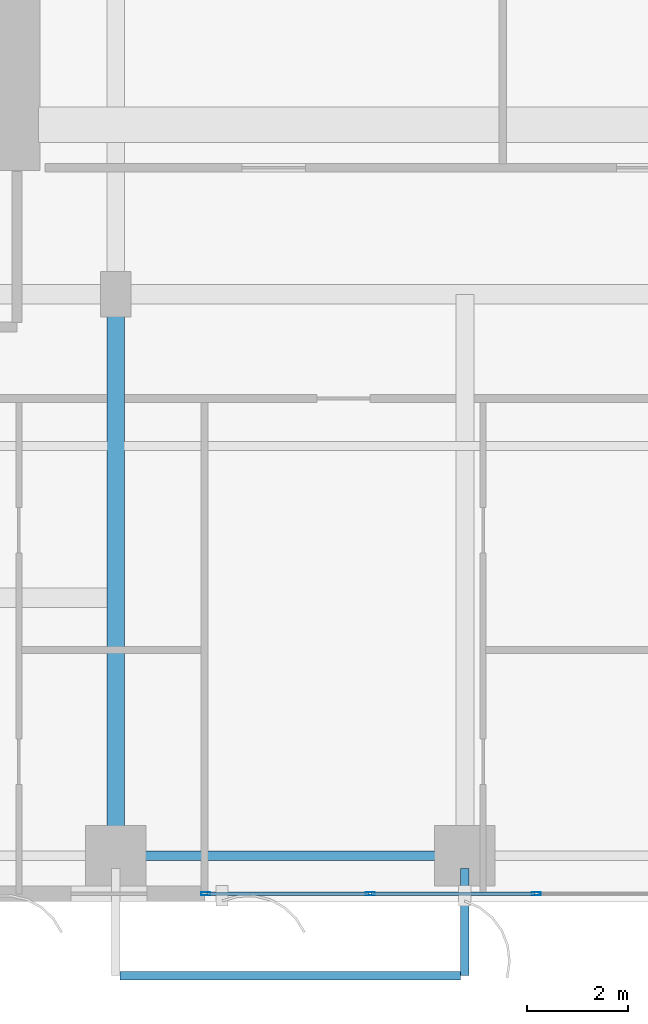
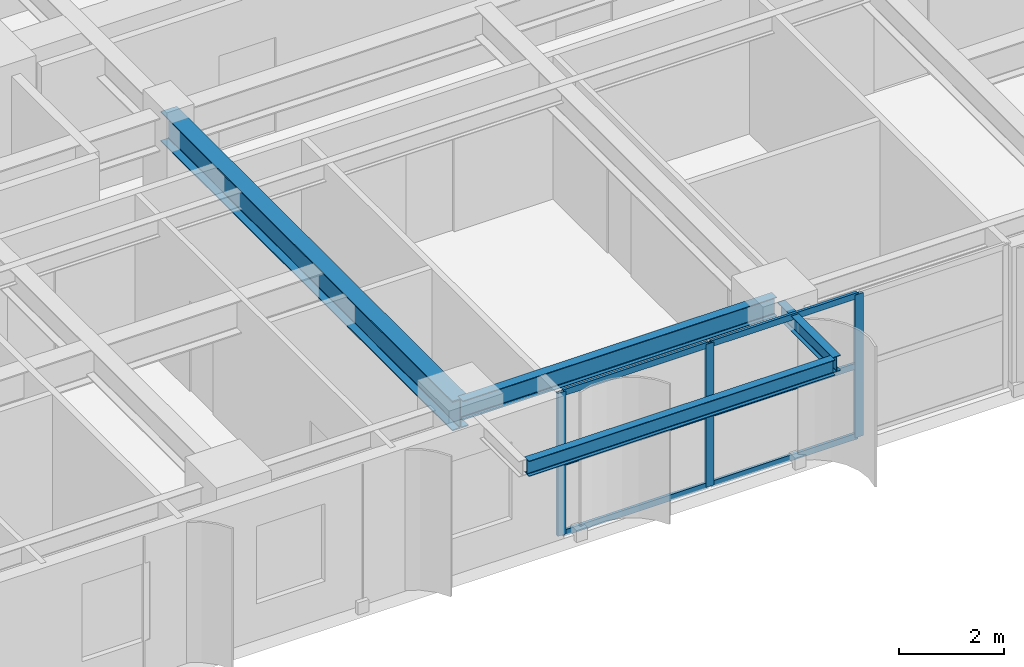
# One storey, part 2 of 22: 9 members, 4 beams, 1 element without a shape of its own.
"""IFC4 building model written with IfcOpenShell, lengths in metres."""

from ifc_helpers import new_model, si_unit, direction, frame, origin, origin_2d, place, context, subcontext, project, spatial, hollow_rectangle, i_section, extrude, source, transform, mapped, material, layer, layer_set, material_profile, profile_set, type_object, element, aggregate, save


model = new_model("IFC4")

# Units and contexts
model_context = context("Model", 3, precision=1e-05, world=origin(), true_north=direction((0.0, 1.0)))
body_context = subcontext(model_context, "Body", "Model", "MODEL_VIEW")
ifc_project = project(units=[si_unit("LENGTHUNIT", "METRE"), si_unit("AREAUNIT", "SQUARE_METRE"), si_unit("VOLUMEUNIT", "CUBIC_METRE"), si_unit("PLANEANGLEUNIT", "RADIAN"), si_unit("MASSUNIT", "GRAM", prefix="KILO")], contexts=[model_context])

# Site, building, storey
site_placement = place(None, origin())
site = spatial("IfcSite", under=ifc_project, at=site_placement, CompositionType="ELEMENT")
building_placement = place(site_placement, origin())
building = spatial("IfcBuilding", under=site, at=building_placement, Name="Khoralis Quay Care Tower", CompositionType="ELEMENT")
storey_placement = place(building_placement, frame((0.0, 0.0, 44.10009765625)))
storey = spatial("IfcBuildingStorey", under=building, at=storey_placement, Name="L11", CompositionType="ELEMENT", Elevation=44.10009765625)

# Beams
ifc_material_1 = material(Name="Steel S355", Category="steel")
ifc_material_profile_1 = material_profile(ifc_material_1, i_section(OverallWidth=0.18994140625, OverallDepth=0.449951171875, WebThickness=0.009521484375, FlangeThickness=0.0146484375, FilletRadius=0.02099609375, at=origin_2d()), Name="Steel S355")
ifc_profile_set_1 = profile_set([ifc_material_profile_1], Name="Steel S355")
beam_type_1 = type_object("IfcBeamType", Name="BM-IPE450", PredefinedType="SPANDREL", material=ifc_profile_set_1)
shared_shape_1 = source(origin(), body_context, "Body", "SweptSolid", [
    extrude(i_section(OverallWidth=0.18994140625, OverallDepth=0.449951171875, WebThickness=0.009521484375, FlangeThickness=0.0146484375, FilletRadius=0.02099609375, at=origin_2d()), origin(), (0.0, 0.0, 1.0), 6.89990234375),
])
beam_1_placement = place(storey_placement, frame((17.10009765625, 0.89990234375, 3.094970703125), z_axis=(1.0, 0.0, 0.0), x_axis=(0.0, 1.0, 0.0)))
element("IfcBeam", 1, at=beam_1_placement, inside=storey, type_object=beam_type_1, Name="BM-TSP-L11-03", PredefinedType="SPANDREL", context=body_context, shape_type="MappedRepresentation", body=[
    mapped(shared_shape_1, transform((0.0, 0.0, 0.0), scale=1.0)),
])
ifc_material_profile_2 = material_profile(ifc_material_1, i_section(OverallWidth=0.35498046875, OverallDepth=0.695068359375, WebThickness=0.015380859375, FlangeThickness=0.02490234375, FilletRadius=0.02001953125, at=origin_2d()), Name="Steel S355")
ifc_profile_set_2 = profile_set([ifc_material_profile_2], Name="Steel S355")
beam_type_2 = type_object("IfcBeamType", Name="BM-W690X217", PredefinedType="BEAM", material=ifc_profile_set_2)
shared_shape_2 = source(origin(), body_context, "Body", "SweptSolid", [
    extrude(i_section(OverallWidth=0.35498046875, OverallDepth=0.695068359375, WebThickness=0.015380859375, FlangeThickness=0.02490234375, FilletRadius=0.02001953125, at=origin_2d()), origin(), (0.0, 0.0, 1.0), 11.10009765625),
])
beam_2_placement = place(storey_placement, frame((17.10009765625, 0.89990234375, 2.972412109375), z_axis=(0.0, 1.0, 0.0), x_axis=(-1.0, 0.0, 0.0)))
element("IfcBeam", 2, at=beam_2_placement, inside=storey, type_object=beam_type_2, Name="BM-TGYS-L11-171", PredefinedType="BEAM", context=body_context, shape_type="MappedRepresentation", body=[
    mapped(shared_shape_2, transform((0.0, 0.0, 0.0), scale=1.0)),
])

# Curtain wall, members
ifc_material_2 = material(Name="Pale anodised aluminium", Category="aluminium")
ifc_layer = layer(ifc_material_2, 0.179931640625)
ifc_layer_set = layer_set([ifc_layer], Name="Pale anodised aluminium")
curtain_wall_type = type_object("IfcCurtainWallType", Name="CW-SYS-Z1", PredefinedType="NOTDEFINED", material=ifc_layer_set)
curtain_wall_placement = place(storey_placement, origin())
curtain_wall = element("IfcCurtainWall", 3, at=curtain_wall_placement, inside=storey, type_object=curtain_wall_type, Name="L11 Unitised Curtain Wall CW-L11-P1-E0", PredefinedType="NOTDEFINED")
ifc_material_profile_3 = material_profile(ifc_material_2, hollow_rectangle(XDim=0.06494140625, YDim=0.179931640625, WallThickness=0.00390625, at=origin_2d()), Name="Pale anodised aluminium")
ifc_profile_set_3 = profile_set([ifc_material_profile_3], Name="Pale anodised aluminium")
member_type_1 = type_object("IfcMemberType", Name="CW-MUL-180", PredefinedType="MULLION", material=ifc_profile_set_3)
shared_shape_3 = source(origin(), body_context, "Body", "SweptSolid", [
    extrude(hollow_rectangle(XDim=0.06494140625, YDim=0.179931640625, WallThickness=0.00390625, at=origin_2d()), origin(), (0.0, 0.0, 1.0), 3.31982421875),
])
member_1_placement = place(storey_placement, frame((18.8798828125, 0.14990234375, 0.0), z_axis=(0.0, 0.0, 1.0), x_axis=(0.0, 1.0, 0.0)))
member_1 = element("IfcMember", 4, at=member_1_placement, type_object=member_type_1, Name="CW1 mullion 1", PredefinedType="MULLION", context=body_context, shape_type="MappedRepresentation", body=[
    mapped(shared_shape_3, transform((0.0, 0.0, 0.0), scale=1.0)),
])
member_2_placement = place(storey_placement, frame((22.1298828125, 0.14990234375, 0.0), z_axis=(0.0, 0.0, 1.0), x_axis=(0.0, 1.0, 0.0)))
member_2 = element("IfcMember", 5, at=member_2_placement, type_object=member_type_1, Name="CW1 mullion 2", PredefinedType="MULLION", context=body_context, shape_type="MappedRepresentation", body=[
    mapped(shared_shape_3, transform((0.0, 0.0, 0.0), scale=1.0)),
])
member_3_placement = place(storey_placement, frame((25.409912109375, 0.14990234375, 0.0), z_axis=(0.0, 0.0, 1.0), x_axis=(0.0, 1.0, 0.0)))
member_3 = element("IfcMember", 6, at=member_3_placement, type_object=member_type_1, Name="CW1 mullion 3", PredefinedType="MULLION", context=body_context, shape_type="MappedRepresentation", body=[
    mapped(shared_shape_3, transform((0.0, 0.0, 0.0), scale=1.0)),
])

# Beams
ifc_material_profile_4 = material_profile(ifc_material_1, i_section(OverallWidth=0.169921875, OverallDepth=0.360107421875, WebThickness=0.008056640625, FlangeThickness=0.0126953125, FilletRadius=0.01806640625, at=origin_2d()), Name="Steel S355")
ifc_profile_set_4 = profile_set([ifc_material_profile_4], Name="Steel S355")
beam_type_3 = type_object("IfcBeamType", Name="BM-IPE360", PredefinedType="SPANDREL", material=ifc_profile_set_4)
shared_shape_4 = source(origin(), body_context, "Body", "SweptSolid", [
    extrude(i_section(OverallWidth=0.169921875, OverallDepth=0.360107421875, WebThickness=0.008056640625, FlangeThickness=0.0126953125, FilletRadius=0.01806640625, at=origin_2d()), origin(), (0.0, 0.0, 1.0), 2.119873046875),
])
beam_3_placement = place(storey_placement, frame((24.0, 0.64990234375, 3.143798828125), z_axis=(0.0, -1.0, 0.0), x_axis=(1.0, 0.0, 0.0)))
element("IfcBeam", 7, at=beam_3_placement, inside=storey, type_object=beam_type_3, Name="L12 Balcony Cantilever Outrigger Beam 2", PredefinedType="SPANDREL", context=body_context, shape_type="MappedRepresentation", body=[
    mapped(shared_shape_4, transform((0.0, 0.0, 0.0), scale=1.0)),
])
shared_shape_5 = source(origin(), body_context, "Body", "SweptSolid", [
    extrude(i_section(OverallWidth=0.169921875, OverallDepth=0.360107421875, WebThickness=0.008056640625, FlangeThickness=0.0126953125, FilletRadius=0.01806640625, at=origin_2d()), origin(), (0.0, 0.0, 1.0), 6.72412109375),
])
beam_4_placement = place(storey_placement, frame((17.18798828125, -1.469970703125, 3.143798828125), z_axis=(1.0, 0.0, 0.0), x_axis=(0.0, 1.0, 0.0)))
element("IfcBeam", 8, at=beam_4_placement, inside=storey, type_object=beam_type_3, Name="L12 Balcony Edge Spandrel Beam P1E0", PredefinedType="SPANDREL", context=body_context, shape_type="MappedRepresentation", body=[
    mapped(shared_shape_5, transform((0.0, 0.0, 0.0), scale=1.0)),
])

# Member
ifc_material_profile_5 = material_profile(ifc_material_2, hollow_rectangle(XDim=0.06005859375, YDim=0.139892578125, WallThickness=0.00390625, at=origin_2d()), Name="Pale anodised aluminium")
ifc_profile_set_5 = profile_set([ifc_material_profile_5], Name="Pale anodised aluminium")
member_type_2 = type_object("IfcMemberType", Name="CW-TRN-140", PredefinedType="USERDEFINED", material=ifc_profile_set_5)
shared_shape_6 = source(origin(), body_context, "Body", "SweptSolid", [
    extrude(hollow_rectangle(XDim=0.06005859375, YDim=0.139892578125, WallThickness=0.00390625, at=origin_2d()), origin(), (0.0, 0.0, 1.0), 3.190185546875),
])
member_4_placement = place(storey_placement, frame((18.909912109375, 0.14990234375, 0.02978515625), z_axis=(1.0, 0.0, 0.0), x_axis=(0.0, 1.0, 0.0)))
member_4 = element("IfcMember", 9, at=member_4_placement, type_object=member_type_2, Name="CW1 transom 1.1", ObjectType="TRANSOM", PredefinedType="USERDEFINED", context=body_context, shape_type="MappedRepresentation", body=[
    mapped(shared_shape_6, transform((0.0, 0.0, 0.0), scale=1.0)),
])

member_5_placement = place(storey_placement, frame((18.909912109375, 0.14990234375, 1.659912109375), z_axis=(1.0, 0.0, 0.0), x_axis=(0.0, 1.0, 0.0)))
member_5 = element("IfcMember", 10, at=member_5_placement, type_object=member_type_2, Name="CW1 transom 1.2", ObjectType="TRANSOM", PredefinedType="USERDEFINED", context=body_context, shape_type="MappedRepresentation", body=[
    mapped(shared_shape_6, transform((0.0, 0.0, 0.0), scale=1.0)),
])

member_6_placement = place(storey_placement, frame((18.909912109375, 0.14990234375, 3.289794921875), z_axis=(1.0, 0.0, 0.0), x_axis=(0.0, 1.0, 0.0)))
member_6 = element("IfcMember", 11, at=member_6_placement, type_object=member_type_2, Name="CW1 transom 1.3", ObjectType="TRANSOM", PredefinedType="USERDEFINED", context=body_context, shape_type="MappedRepresentation", body=[
    mapped(shared_shape_6, transform((0.0, 0.0, 0.0), scale=1.0)),
])

shared_shape_7 = source(origin(), body_context, "Body", "SweptSolid", [
    extrude(hollow_rectangle(XDim=0.06005859375, YDim=0.139892578125, WallThickness=0.00390625, at=origin_2d()), origin(), (0.0, 0.0, 1.0), 3.219970703125),
])
member_7_placement = place(storey_placement, frame((22.159912109375, 0.14990234375, 0.02978515625), z_axis=(1.0, 0.0, 0.0), x_axis=(0.0, 1.0, 0.0)))
member_7 = element("IfcMember", 12, at=member_7_placement, type_object=member_type_2, Name="CW1 transom 2.1", ObjectType="TRANSOM", PredefinedType="USERDEFINED", context=body_context, shape_type="MappedRepresentation", body=[
    mapped(shared_shape_7, transform((0.0, 0.0, 0.0), scale=1.0)),
])

member_8_placement = place(storey_placement, frame((22.159912109375, 0.14990234375, 1.659912109375), z_axis=(1.0, 0.0, 0.0), x_axis=(0.0, 1.0, 0.0)))
member_8 = element("IfcMember", 13, at=member_8_placement, type_object=member_type_2, Name="CW1 transom 2.2", ObjectType="TRANSOM", PredefinedType="USERDEFINED", context=body_context, shape_type="MappedRepresentation", body=[
    mapped(shared_shape_7, transform((0.0, 0.0, 0.0), scale=1.0)),
])

member_9_placement = place(storey_placement, frame((22.159912109375, 0.14990234375, 3.289794921875), z_axis=(1.0, 0.0, 0.0), x_axis=(0.0, 1.0, 0.0)))
member_9 = element("IfcMember", 14, at=member_9_placement, type_object=member_type_2, Name="CW1 transom 2.3", ObjectType="TRANSOM", PredefinedType="USERDEFINED", context=body_context, shape_type="MappedRepresentation", body=[
    mapped(shared_shape_7, transform((0.0, 0.0, 0.0), scale=1.0)),
])

aggregate(curtain_wall, [member_1, member_2, member_3, member_4, member_5, member_6, member_7, member_8, member_9])

save(model, "model.ifc")
